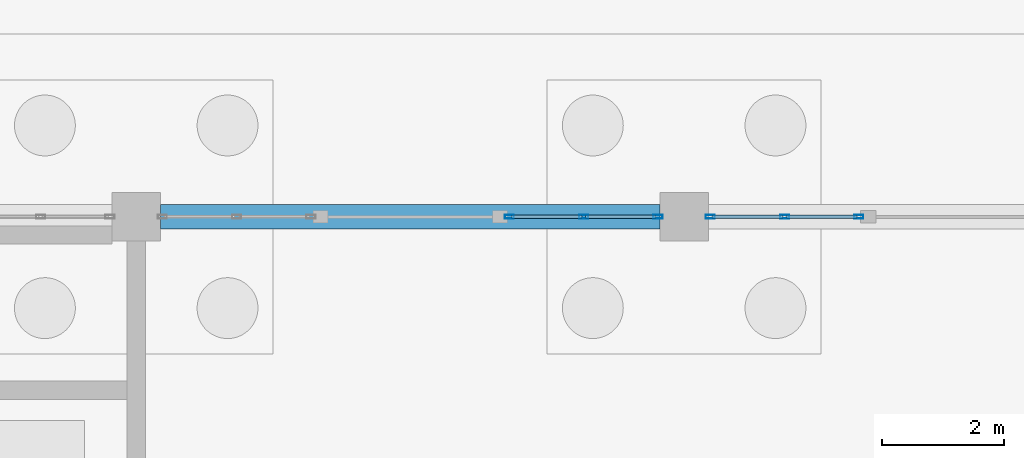
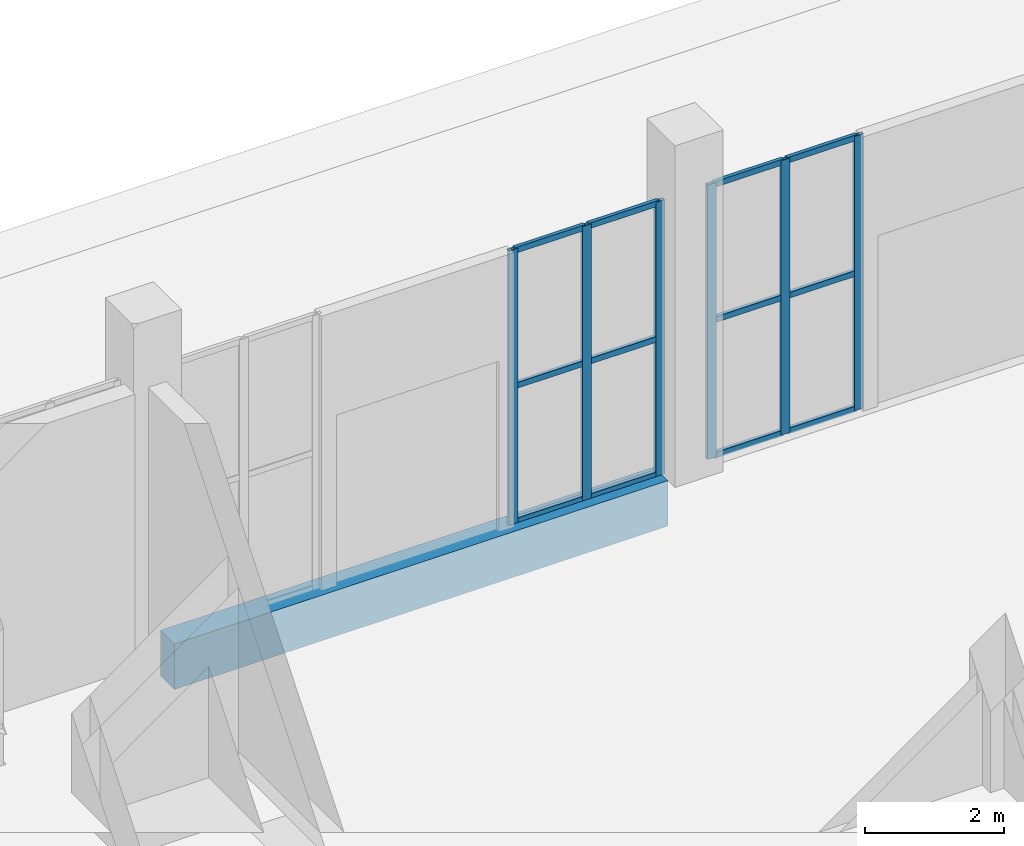
# One storey, part 39 of 198: 18 members, 1 beam, 2 elements without a shape of their own.
"""IFC4 building model written with IfcOpenShell, lengths in metres."""

from ifc_helpers import new_model, si_unit, direction, frame, origin, origin_2d, place, context, subcontext, project, spatial, rectangle, hollow_rectangle, extrude, material, layer, layer_set, material_profile, profile_set, type_object, element, aggregate, save


model = new_model("IFC4")

# Units and contexts
model_context = context("Model", 3, precision=1e-05, world=origin(), true_north=direction((0.0, 1.0)))
body_context = subcontext(model_context, "Body", "Model", "MODEL_VIEW")
ifc_project = project(units=[si_unit("LENGTHUNIT", "METRE"), si_unit("AREAUNIT", "SQUARE_METRE"), si_unit("VOLUMEUNIT", "CUBIC_METRE"), si_unit("PLANEANGLEUNIT", "RADIAN"), si_unit("MASSUNIT", "GRAM", prefix="KILO")], contexts=[model_context])

# Site, building, storey
site_placement = place(None, origin())
site = spatial("IfcSite", under=ifc_project, at=site_placement, CompositionType="ELEMENT")
building_placement = place(site_placement, origin())
building = spatial("IfcBuilding", under=site, at=building_placement, Name="Opaline Strait Convention Centre", CompositionType="ELEMENT")
storey_placement = place(building_placement, origin())
storey = spatial("IfcBuildingStorey", under=building, at=storey_placement, Name="L00", CompositionType="ELEMENT", Elevation=0.0)

# Curtain wall, members
ifc_material_1 = material(Name="Aluminium framed double glazing", Category="aluminium")
ifc_layer = layer(ifc_material_1, 0.199951171875)
ifc_layer_set = layer_set([ifc_layer], Name="Aluminium framed double glazing")
curtain_wall_type = type_object("IfcCurtainWallType", Name="Curtain wall 1250", PredefinedType="NOTDEFINED", material=ifc_layer_set)
curtain_wall_1_placement = place(storey_placement, origin())
curtain_wall_1 = element("IfcCurtainWall", 1, at=curtain_wall_1_placement, inside=storey, type_object=curtain_wall_type, Name="Curtain wall N-18b-L00", PredefinedType="NOTDEFINED")
ifc_material_2 = material(Name="Aluminium alloy 6063", Category="aluminium")
ifc_material_profile_1 = material_profile(ifc_material_2, hollow_rectangle(XDim=0.06005859375, YDim=0.14990234375, WallThickness=0.00390625, at=origin_2d()), Name="MULLION 60x150x4")
ifc_profile_set_1 = profile_set([ifc_material_profile_1], Name="Aluminium alloy 6063")
member_type_1 = type_object("IfcMemberType", Name="Curtain wall mullion 60 x 150", PredefinedType="MULLION", material=ifc_profile_set_1)
member_1_placement = place(storey_placement, frame((24.130126953125, 180.0, 0.0), z_axis=(0.0, 0.0, 1.0), x_axis=(0.0, 1.0, 0.0)))
member_1 = element("IfcMember", 2, at=member_1_placement, type_object=member_type_1, Name="PCW mullion 1", PredefinedType="MULLION", context=body_context, shape_type="SweptSolid", body=[
    extrude(hollow_rectangle(XDim=0.06005859375, YDim=0.14990234375, WallThickness=0.00390625, at=origin_2d()), origin(), (0.0, 0.0, 1.0), 4.820068359375),
])
member_2_placement = place(storey_placement, frame((25.35009765625, 180.0, 0.0), z_axis=(0.0, 0.0, 1.0), x_axis=(0.0, 1.0, 0.0)))
member_2 = element("IfcMember", 3, at=member_2_placement, type_object=member_type_1, Name="PCW mullion 2", PredefinedType="MULLION", context=body_context, shape_type="SweptSolid", body=[
    extrude(hollow_rectangle(XDim=0.06005859375, YDim=0.14990234375, WallThickness=0.00390625, at=origin_2d()), origin(), (0.0, 0.0, 1.0), 4.820068359375),
])
member_3_placement = place(storey_placement, frame((26.570068359375, 180.0, 0.0), z_axis=(0.0, 0.0, 1.0), x_axis=(0.0, 1.0, 0.0)))
member_3 = element("IfcMember", 4, at=member_3_placement, type_object=member_type_1, Name="PCW mullion 3", PredefinedType="MULLION", context=body_context, shape_type="SweptSolid", body=[
    extrude(hollow_rectangle(XDim=0.06005859375, YDim=0.14990234375, WallThickness=0.00390625, at=origin_2d()), origin(), (0.0, 0.0, 1.0), 4.820068359375),
])

curtain_wall_2_placement = place(storey_placement, origin())
curtain_wall_2 = element("IfcCurtainWall", 5, at=curtain_wall_2_placement, inside=storey, type_object=curtain_wall_type, Name="Curtain wall N-27a-L00", PredefinedType="NOTDEFINED")
member_4_placement = place(storey_placement, frame((27.429931640625, 180.0, 0.0), z_axis=(0.0, 0.0, 1.0), x_axis=(0.0, 1.0, 0.0)))
member_4 = element("IfcMember", 6, at=member_4_placement, type_object=member_type_1, Name="PCW mullion 1", PredefinedType="MULLION", context=body_context, shape_type="SweptSolid", body=[
    extrude(hollow_rectangle(XDim=0.06005859375, YDim=0.14990234375, WallThickness=0.00390625, at=origin_2d()), origin(), (0.0, 0.0, 1.0), 4.820068359375),
])
member_5_placement = place(storey_placement, frame((28.64990234375, 180.0, 0.0), z_axis=(0.0, 0.0, 1.0), x_axis=(0.0, 1.0, 0.0)))
member_5 = element("IfcMember", 7, at=member_5_placement, type_object=member_type_1, Name="PCW mullion 2", PredefinedType="MULLION", context=body_context, shape_type="SweptSolid", body=[
    extrude(hollow_rectangle(XDim=0.06005859375, YDim=0.14990234375, WallThickness=0.00390625, at=origin_2d()), origin(), (0.0, 0.0, 1.0), 4.820068359375),
])
member_6_placement = place(storey_placement, frame((29.869873046875, 180.0, 0.0), z_axis=(0.0, 0.0, 1.0), x_axis=(0.0, 1.0, 0.0)))
member_6 = element("IfcMember", 8, at=member_6_placement, type_object=member_type_1, Name="PCW mullion 3", PredefinedType="MULLION", context=body_context, shape_type="SweptSolid", body=[
    extrude(hollow_rectangle(XDim=0.06005859375, YDim=0.14990234375, WallThickness=0.00390625, at=origin_2d()), origin(), (0.0, 0.0, 1.0), 4.820068359375),
])

# Member
ifc_material_profile_2 = material_profile(ifc_material_2, hollow_rectangle(XDim=0.06005859375, YDim=0.10009765625, WallThickness=0.0029296875, at=origin_2d()), Name="TRANSOM 60x100x3")
ifc_profile_set_2 = profile_set([ifc_material_profile_2], Name="Aluminium alloy 6063")
member_type_2 = type_object("IfcMemberType", Name="Curtain wall transom 60 x 100", PredefinedType="USERDEFINED", material=ifc_profile_set_2)
member_7_placement = place(storey_placement, frame((24.16015625, 180.0, 0.030029296875), z_axis=(1.0, 0.0, 0.0), x_axis=(0.0, 1.0, 0.0)))
member_7 = element("IfcMember", 9, at=member_7_placement, type_object=member_type_2, Name="PCW transom 1.1", ObjectType="TRANSOM", PredefinedType="USERDEFINED", context=body_context, shape_type="SweptSolid", body=[
    extrude(hollow_rectangle(XDim=0.06005859375, YDim=0.10009765625, WallThickness=0.0029296875, at=origin_2d()), origin(), (0.0, 0.0, 1.0), 1.159912109375),
])

member_8_placement = place(storey_placement, frame((24.16015625, 180.0, 2.409912109375), z_axis=(1.0, 0.0, 0.0), x_axis=(0.0, 1.0, 0.0)))
member_8 = element("IfcMember", 10, at=member_8_placement, type_object=member_type_2, Name="PCW transom 1.2", ObjectType="TRANSOM", PredefinedType="USERDEFINED", context=body_context, shape_type="SweptSolid", body=[
    extrude(hollow_rectangle(XDim=0.06005859375, YDim=0.10009765625, WallThickness=0.0029296875, at=origin_2d()), origin(), (0.0, 0.0, 1.0), 1.159912109375),
])

member_9_placement = place(storey_placement, frame((24.16015625, 180.0, 4.7900390625), z_axis=(1.0, 0.0, 0.0), x_axis=(0.0, 1.0, 0.0)))
member_9 = element("IfcMember", 11, at=member_9_placement, type_object=member_type_2, Name="PCW transom 1.3", ObjectType="TRANSOM", PredefinedType="USERDEFINED", context=body_context, shape_type="SweptSolid", body=[
    extrude(hollow_rectangle(XDim=0.06005859375, YDim=0.10009765625, WallThickness=0.0029296875, at=origin_2d()), origin(), (0.0, 0.0, 1.0), 1.159912109375),
])

member_10_placement = place(storey_placement, frame((25.380126953125, 180.0, 0.030029296875), z_axis=(1.0, 0.0, 0.0), x_axis=(0.0, 1.0, 0.0)))
member_10 = element("IfcMember", 12, at=member_10_placement, type_object=member_type_2, Name="PCW transom 2.1", ObjectType="TRANSOM", PredefinedType="USERDEFINED", context=body_context, shape_type="SweptSolid", body=[
    extrude(hollow_rectangle(XDim=0.06005859375, YDim=0.10009765625, WallThickness=0.0029296875, at=origin_2d()), origin(), (0.0, 0.0, 1.0), 1.159912109375),
])

member_11_placement = place(storey_placement, frame((25.380126953125, 180.0, 2.409912109375), z_axis=(1.0, 0.0, 0.0), x_axis=(0.0, 1.0, 0.0)))
member_11 = element("IfcMember", 13, at=member_11_placement, type_object=member_type_2, Name="PCW transom 2.2", ObjectType="TRANSOM", PredefinedType="USERDEFINED", context=body_context, shape_type="SweptSolid", body=[
    extrude(hollow_rectangle(XDim=0.06005859375, YDim=0.10009765625, WallThickness=0.0029296875, at=origin_2d()), origin(), (0.0, 0.0, 1.0), 1.159912109375),
])

member_12_placement = place(storey_placement, frame((25.380126953125, 180.0, 4.7900390625), z_axis=(1.0, 0.0, 0.0), x_axis=(0.0, 1.0, 0.0)))
member_12 = element("IfcMember", 14, at=member_12_placement, type_object=member_type_2, Name="PCW transom 2.3", ObjectType="TRANSOM", PredefinedType="USERDEFINED", context=body_context, shape_type="SweptSolid", body=[
    extrude(hollow_rectangle(XDim=0.06005859375, YDim=0.10009765625, WallThickness=0.0029296875, at=origin_2d()), origin(), (0.0, 0.0, 1.0), 1.159912109375),
])

aggregate(curtain_wall_1, [member_1, member_2, member_3, member_7, member_8, member_9, member_10, member_11, member_12])

member_13_placement = place(storey_placement, frame((27.4599609375, 180.0, 0.030029296875), z_axis=(1.0, 0.0, 0.0), x_axis=(0.0, 1.0, 0.0)))
member_13 = element("IfcMember", 15, at=member_13_placement, type_object=member_type_2, Name="PCW transom 1.1", ObjectType="TRANSOM", PredefinedType="USERDEFINED", context=body_context, shape_type="SweptSolid", body=[
    extrude(hollow_rectangle(XDim=0.06005859375, YDim=0.10009765625, WallThickness=0.0029296875, at=origin_2d()), origin(), (0.0, 0.0, 1.0), 1.159912109375),
])

member_14_placement = place(storey_placement, frame((27.4599609375, 180.0, 2.409912109375), z_axis=(1.0, 0.0, 0.0), x_axis=(0.0, 1.0, 0.0)))
member_14 = element("IfcMember", 16, at=member_14_placement, type_object=member_type_2, Name="PCW transom 1.2", ObjectType="TRANSOM", PredefinedType="USERDEFINED", context=body_context, shape_type="SweptSolid", body=[
    extrude(hollow_rectangle(XDim=0.06005859375, YDim=0.10009765625, WallThickness=0.0029296875, at=origin_2d()), origin(), (0.0, 0.0, 1.0), 1.159912109375),
])

member_15_placement = place(storey_placement, frame((27.4599609375, 180.0, 4.7900390625), z_axis=(1.0, 0.0, 0.0), x_axis=(0.0, 1.0, 0.0)))
member_15 = element("IfcMember", 17, at=member_15_placement, type_object=member_type_2, Name="PCW transom 1.3", ObjectType="TRANSOM", PredefinedType="USERDEFINED", context=body_context, shape_type="SweptSolid", body=[
    extrude(hollow_rectangle(XDim=0.06005859375, YDim=0.10009765625, WallThickness=0.0029296875, at=origin_2d()), origin(), (0.0, 0.0, 1.0), 1.159912109375),
])

member_16_placement = place(storey_placement, frame((28.679931640625, 180.0, 0.030029296875), z_axis=(1.0, 0.0, 0.0), x_axis=(0.0, 1.0, 0.0)))
member_16 = element("IfcMember", 18, at=member_16_placement, type_object=member_type_2, Name="PCW transom 2.1", ObjectType="TRANSOM", PredefinedType="USERDEFINED", context=body_context, shape_type="SweptSolid", body=[
    extrude(hollow_rectangle(XDim=0.06005859375, YDim=0.10009765625, WallThickness=0.0029296875, at=origin_2d()), origin(), (0.0, 0.0, 1.0), 1.159912109375),
])

member_17_placement = place(storey_placement, frame((28.679931640625, 180.0, 2.409912109375), z_axis=(1.0, 0.0, 0.0), x_axis=(0.0, 1.0, 0.0)))
member_17 = element("IfcMember", 19, at=member_17_placement, type_object=member_type_2, Name="PCW transom 2.2", ObjectType="TRANSOM", PredefinedType="USERDEFINED", context=body_context, shape_type="SweptSolid", body=[
    extrude(hollow_rectangle(XDim=0.06005859375, YDim=0.10009765625, WallThickness=0.0029296875, at=origin_2d()), origin(), (0.0, 0.0, 1.0), 1.159912109375),
])

member_18_placement = place(storey_placement, frame((28.679931640625, 180.0, 4.7900390625), z_axis=(1.0, 0.0, 0.0), x_axis=(0.0, 1.0, 0.0)))
member_18 = element("IfcMember", 20, at=member_18_placement, type_object=member_type_2, Name="PCW transom 2.3", ObjectType="TRANSOM", PredefinedType="USERDEFINED", context=body_context, shape_type="SweptSolid", body=[
    extrude(hollow_rectangle(XDim=0.06005859375, YDim=0.10009765625, WallThickness=0.0029296875, at=origin_2d()), origin(), (0.0, 0.0, 1.0), 1.159912109375),
])

aggregate(curtain_wall_2, [member_4, member_5, member_6, member_13, member_14, member_15, member_16, member_17, member_18])

# Beam
ifc_material_3 = material(Name="Concrete C35", Category="concrete")
ifc_material_profile_3 = material_profile(ifc_material_3, rectangle(XDim=0.39990234375, YDim=0.800048828125, at=origin_2d()), Name="RC 400x800")
ifc_profile_set_3 = profile_set([ifc_material_profile_3], Name="Concrete C35")
beam_type = type_object("IfcBeamType", Name="RC ground beam 400x800 C35", PredefinedType="BEAM", material=ifc_profile_set_3)
beam_placement = place(storey_placement, frame((18.39990234375, 180.0, -0.39990234375), z_axis=(1.0, 0.0, 0.0), x_axis=(0.0, 1.0, 0.0)))
element("IfcBeam", 21, at=beam_placement, inside=storey, type_object=beam_type, Name="PGB1 ground beam 3/W-4/W", PredefinedType="BEAM", context=body_context, shape_type="SweptSolid", body=[
    extrude(rectangle(XDim=0.39990234375, YDim=0.800048828125, at=origin_2d()), origin(), (0.0, 0.0, 1.0), 8.2001953125),
])

save(model, "model.ifc")
